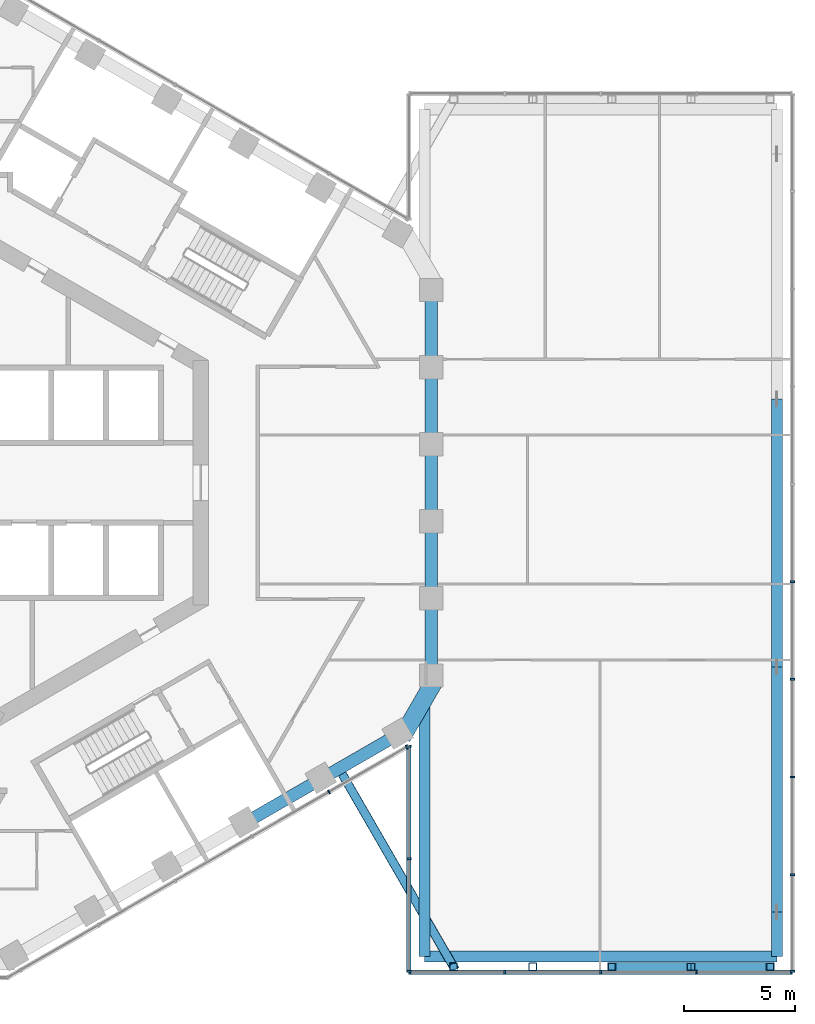
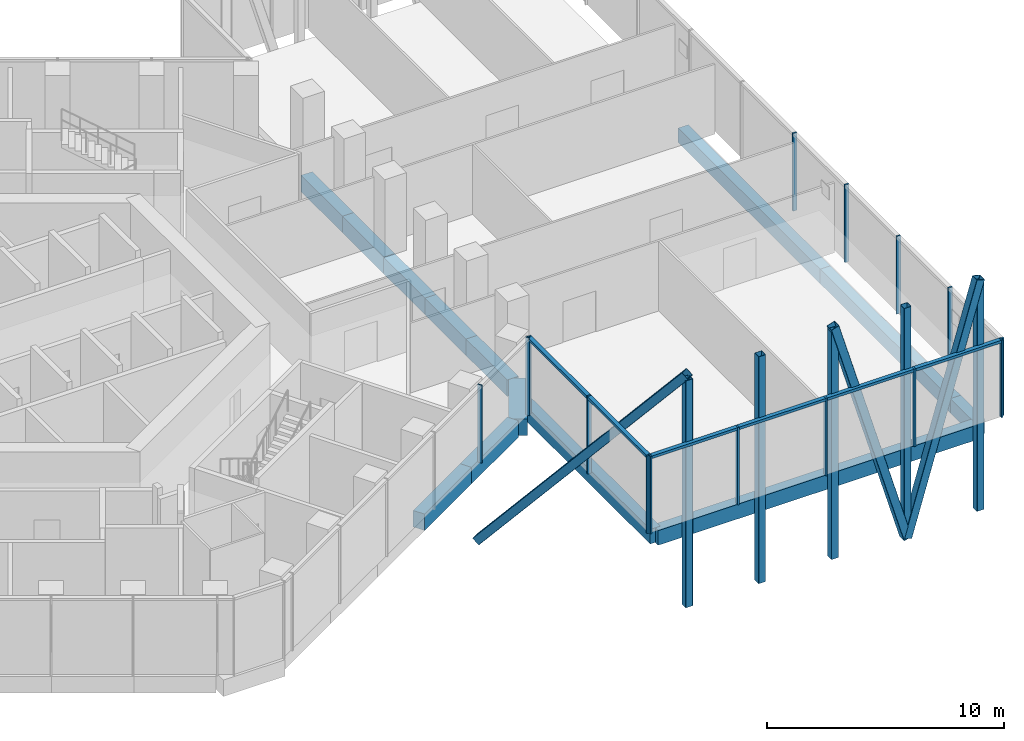
# One storey, part 5 of 24: 25 members, 13 beams, 4 elements without a shape of their own.
"""IFC4 building model written with IfcOpenShell, lengths in metres."""

import ifcopenshell
import ifcopenshell.guid

model = None  # the IFC model being written
_history = None  # IfcOwnerHistory: only IFC2X3 demands one
_inside = {}  # id of a spatial element -> (the spatial element, [elements in it])
_under = {}  # id of a project, library or spatial element -> (it, [spatial elements below it])
_declared = {}  # id of a project -> (the project, [libraries it declares])
_typed = {}  # id of a type object -> (the type object, [elements of that type])
_made_of = {}  # id of a material, layer set ... -> (it, [elements and type objects made of it])


def new_model(schema):
    """Start an empty IFC model of exactly this schema.

    Asked for "IFC4X3", IfcOpenShell would pick the latest addendum, in which some entities
    have other attributes; the version numbers below select the first issue.
    IFC2X3 requires an IfcOwnerHistory on every rooted entity: one is made here for all.
    """
    global model, _history
    if schema == "IFC4X3":
        model = ifcopenshell.file(schema_version=(4, 3, 0, 0))
    else:
        model = ifcopenshell.file(schema=schema)
    _inside.clear()
    _under.clear()
    _declared.clear()
    _typed.clear()
    _made_of.clear()
    _history = None
    if model.schema == "IFC2X3":
        org = make("IfcOrganization", Name="unknown")
        user = make(
            "IfcPersonAndOrganization",
            ThePerson=make("IfcPerson", FamilyName="unknown"),
            TheOrganization=org,
        )
        app = make(
            "IfcApplication",
            ApplicationDeveloper=org,
            Version="unknown",
            ApplicationFullName="unknown",
            ApplicationIdentifier="unknown",
        )
        _history = make(
            "IfcOwnerHistory",
            OwningUser=user,
            OwningApplication=app,
            ChangeAction="ADDED",
            CreationDate=0,
        )
    return model


def make(cls, **values):
    """One entity of the class cls with the attributes given. An attribute that is None is left unset."""
    return model.create_entity(
        cls, **{name: value for name, value in values.items() if value is not None}
    )


def rooted(cls, **values):
    """An entity with a GlobalId (a new one), such as an element, a storey or a relation."""
    return make(cls, GlobalId=ifcopenshell.guid.new(), OwnerHistory=_history, **values)


def si_unit(unit_type, name, prefix=None):
    """IfcSIUnit, for example si_unit("LENGTHUNIT", "METRE", prefix="MILLI")."""
    return make("IfcSIUnit", UnitType=unit_type, Prefix=prefix, Name=name)


def assignment(units):
    """IfcUnitAssignment: the units of a project."""
    return None if units is None else make("IfcUnitAssignment", Units=units)


def point(xyz):
    """IfcCartesianPoint."""
    return None if xyz is None else make("IfcCartesianPoint", Coordinates=xyz)


def direction(xyz):
    """IfcDirection."""
    return None if xyz is None else make("IfcDirection", DirectionRatios=xyz)


def frame(location, z_axis=None, x_axis=None):
    """IfcAxis2Placement3D, a coordinate frame: its origin and axes. An axis left out is left unset."""
    return make(
        "IfcAxis2Placement3D",
        Location=point(location),
        Axis=direction(z_axis),
        RefDirection=direction(x_axis),
    )


def frame_2d(location, x_axis=None):
    """IfcAxis2Placement2D, a coordinate frame in the plane: its origin and x axis."""
    return make(
        "IfcAxis2Placement2D", Location=point(location), RefDirection=direction(x_axis)
    )


def origin():
    """The frame at (0, 0, 0) with its axes left unset."""
    return frame((0.0, 0.0, 0.0))


def origin_2d():
    """The frame at (0, 0) in the plane with its x axis left unset."""
    return frame_2d((0.0, 0.0))


def place(relative_to, where):
    """IfcLocalPlacement: puts the frame where relative to a parent placement (None: the world)."""
    return make(
        "IfcLocalPlacement", PlacementRelTo=relative_to, RelativePlacement=where
    )


def context(
    kind, dimensions, precision=None, world=None, true_north=None, identifier=None
):
    """IfcGeometricRepresentationContext, for example the 3D "Model" context."""
    return make(
        "IfcGeometricRepresentationContext",
        ContextIdentifier=identifier,
        ContextType=kind,
        CoordinateSpaceDimension=dimensions,
        Precision=precision,
        WorldCoordinateSystem=world,
        TrueNorth=true_north,
    )


def subcontext(parent, identifier, kind, view, scale=None):
    """IfcGeometricRepresentationSubContext, for example "Body" below "Model"."""
    return make(
        "IfcGeometricRepresentationSubContext",
        ContextIdentifier=identifier,
        ContextType=kind,
        ParentContext=parent,
        TargetScale=scale,
        TargetView=view,
    )


def project(units=None, contexts=None):
    """IfcProject with its units and contexts."""
    return rooted(
        "IfcProject",
        Name="project",
        RepresentationContexts=contexts,
        UnitsInContext=assignment(units),
    )


def spatial(cls, under=None, at=None, **own):
    """A site, building, storey or space (cls), placed at a placement, below another one or the project."""
    s = rooted(cls, ObjectPlacement=at, **own)
    if under is not None:
        _under.setdefault(under.id(), (under, []))[1].append(s)
    return s


def profile(cls, at=None, kind="AREA", **sizes):
    """A parametric profile (cls). Its sizes go by their IFC names, for example OverallWidth=200.0."""
    return make(cls, ProfileType=kind, Position=at, **sizes)


def rectangle(**sizes):
    """IfcRectangleProfileDef."""
    return profile("IfcRectangleProfileDef", **sizes)


def hollow_rectangle(**sizes):
    """IfcRectangleHollowProfileDef."""
    return profile("IfcRectangleHollowProfileDef", **sizes)


def extrude(swept, where, along, depth):
    """IfcExtrudedAreaSolid: the profile swept, set in the frame where, extruded along a direction by depth."""
    return make(
        "IfcExtrudedAreaSolid",
        SweptArea=swept,
        Position=where,
        ExtrudedDirection=direction(along),
        Depth=depth,
    )


def shape(context_of_items, identifier, shape_type, items):
    """IfcShapeRepresentation: the items that make up one representation, for example the "Body"."""
    return make(
        "IfcShapeRepresentation",
        ContextOfItems=context_of_items,
        RepresentationIdentifier=identifier,
        RepresentationType=shape_type,
        Items=items,
    )


def material(Name=None, Category=None):
    """IfcMaterial."""
    return make("IfcMaterial", Name=Name, Category=Category)


def layer(
    of_material, thickness, ventilated=None, Name=None, Category=None, Priority=None
):
    """IfcMaterialLayer: one layer of a wall or slab, of a material (None: an air gap)."""
    return make(
        "IfcMaterialLayer",
        Material=of_material,
        LayerThickness=thickness,
        IsVentilated=ventilated,
        Name=Name,
        Category=Category,
        Priority=Priority,
    )


def layer_set(layers, Name=None):
    """IfcMaterialLayerSet."""
    return make("IfcMaterialLayerSet", MaterialLayers=layers, LayerSetName=Name)


def material_profile(
    of_material, cross_section, Name=None, Category=None, Priority=None
):
    """IfcMaterialProfile: a cross section and its material."""
    return make(
        "IfcMaterialProfile",
        Name=Name,
        Material=of_material,
        Profile=cross_section,
        Priority=Priority,
        Category=Category,
    )


def profile_set(profiles, Name=None, composite=None):
    """IfcMaterialProfileSet."""
    return make(
        "IfcMaterialProfileSet",
        Name=Name,
        MaterialProfiles=profiles,
        CompositeProfile=composite,
    )


def made_of(thing, what):
    """Note that an element or type object is made of a material, layer set ...; save() writes the relation."""
    if what is not None:
        _made_of.setdefault(what.id(), (what, []))[1].append(thing)
    return thing


def type_object(cls, material=None, **own):
    """A type object (cls), such as IfcWallType, which elements share."""
    return made_of(rooted(cls, **own), material)


def element(
    cls,
    number,
    at=None,
    inside=None,
    cuts=None,
    type_object=None,
    material=None,
    context=None,
    identifier="Body",
    shape_type=None,
    held_by="IfcProductDefinitionShape",
    body=None,
    shapes=None,
    **own,
):
    """One element of the class cls, such as IfcWall. Its Tag is "e" and its number.

    at: its placement. inside: the storey or other place that contains it. cuts: it is an
    opening in that element (IfcRelVoidsElement). A single representation is given by context,
    identifier, shape_type and body (its items); several are given by shapes. held_by: the class
    of the entity that holds the representations. save() writes the other relations.
    """
    e = rooted(cls, Tag="e%d" % number, ObjectPlacement=at, **own)
    if body is not None:
        shapes = [shape(context, identifier, shape_type, body)]
    if shapes is not None:
        e.Representation = make(held_by, Representations=shapes)
    if inside is not None:
        _inside.setdefault(inside.id(), (inside, []))[1].append(e)
    if cuts is not None:
        rooted(
            "IfcRelVoidsElement", RelatingBuildingElement=cuts, RelatedOpeningElement=e
        )
    if type_object is not None:
        _typed.setdefault(type_object.id(), (type_object, []))[1].append(e)
    return made_of(e, material)


def aggregate(whole, parts):
    """IfcRelAggregates: a whole, such as a stair, and the parts it consists of."""
    return rooted("IfcRelAggregates", RelatingObject=whole, RelatedObjects=parts)


def save(model, path):
    """Write the relations noted so far, then the file.

    IfcRelAggregates (storeys below a building ...), IfcRelContainedInSpatialStructure (elements
    in a storey), IfcRelDefinesByType, IfcRelAssociatesMaterial and IfcRelDeclares: one each for
    every whole, place, type object, material and project.
    """
    for whole, parts in _under.values():
        aggregate(whole, parts)
    for where, things in _inside.values():
        rooted(
            "IfcRelContainedInSpatialStructure",
            RelatedElements=things,
            RelatingStructure=where,
        )
    for kind, things in _typed.values():
        rooted("IfcRelDefinesByType", RelatedObjects=things, RelatingType=kind)
    for what, things in _made_of.values():
        rooted("IfcRelAssociatesMaterial", RelatedObjects=things, RelatingMaterial=what)
    for by, libraries in _declared.values():
        rooted("IfcRelDeclares", RelatingContext=by, RelatedDefinitions=libraries)
    model.write(path)


model = new_model("IFC4")

# Units and contexts
model_context = context("Model", 3, precision=1e-05, world=origin(), true_north=direction((0.0, 1.0)))
body_context = subcontext(model_context, "Body", "Model", "MODEL_VIEW")
ifc_project = project(units=[si_unit("LENGTHUNIT", "METRE"), si_unit("AREAUNIT", "SQUARE_METRE"), si_unit("VOLUMEUNIT", "CUBIC_METRE"), si_unit("PLANEANGLEUNIT", "RADIAN"), si_unit("MASSUNIT", "GRAM", prefix="KILO")], contexts=[model_context])

# Site, building, storey
site_placement = place(None, origin())
site = spatial("IfcSite", under=ifc_project, at=site_placement, CompositionType="ELEMENT")
building_placement = place(site_placement, origin())
building = spatial("IfcBuilding", under=site, at=building_placement, Name="Ayvan Gate Tower", CompositionType="ELEMENT")
storey_placement = place(building_placement, frame((0.0, 0.0, 124.5)))
storey = spatial("IfcBuildingStorey", under=building, at=storey_placement, Name="L33", CompositionType="ELEMENT", Elevation=124.5)

# Beams
ifc_material_1 = material(Name="Concrete C40/50", Category="concrete")
ifc_material_profile_1 = material_profile(ifc_material_1, rectangle(XDim=0.800048828125, YDim=0.85009765625, at=origin_2d()), Name="RC 800x850")
ifc_profile_set_1 = profile_set([ifc_material_profile_1], Name="Concrete C40/50")
beam_type_1 = type_object("IfcBeamType", Name="Corner spandrel beam RC 800x850 C40/50", PredefinedType="BEAM", material=ifc_profile_set_1)
beam_1_placement = place(storey_placement, frame((18.176025390625, -11.408203125, -0.824951171875), z_axis=(0.499990139034, 0.866031096941, 0.0), x_axis=(-0.866031096941, 0.499990139034, 0.0)))
element("IfcBeam", 1, at=beam_1_placement, inside=storey, type_object=beam_type_1, Name="SB-L33-36", PredefinedType="BEAM", context=body_context, shape_type="SweptSolid", body=[
    extrude(rectangle(XDim=0.800048828125, YDim=0.85009765625, at=origin_2d()), origin(), (0.0, 0.0, 1.0), 3.0),
])
ifc_material_profile_2 = material_profile(ifc_material_1, rectangle(XDim=0.5, YDim=0.75, at=origin_2d()), Name="RC 500x750")
ifc_profile_set_2 = profile_set([ifc_material_profile_2], Name="Concrete C40/50")
beam_type_2 = type_object("IfcBeamType", Name="Sky bar edge beam RC 500x750 C40/50", PredefinedType="BEAM", material=ifc_profile_set_2)
beam_2_placement = place(storey_placement, frame((34.985595703125, 3.75, -0.77490234375), z_axis=(0.0, -1.0, 0.0), x_axis=(1.0, 0.0, 0.0)))
element("IfcBeam", 2, at=beam_2_placement, inside=storey, type_object=beam_type_2, Name="EB-B2-L33-5", PredefinedType="BEAM", context=body_context, shape_type="SweptSolid", body=[
    extrude(rectangle(XDim=0.5, YDim=0.75, at=origin_2d()), origin(), (0.0, 0.0, 1.0), 12.0),
])
beam_3_placement = place(storey_placement, frame((34.985595703125, -8.25, -0.77490234375), z_axis=(0.0, -1.0, 0.0), x_axis=(1.0, 0.0, 0.0)))
element("IfcBeam", 3, at=beam_3_placement, inside=storey, type_object=beam_type_2, Name="EB-B2-L33-6", PredefinedType="BEAM", context=body_context, shape_type="SweptSolid", body=[
    extrude(rectangle(XDim=0.5, YDim=0.75, at=origin_2d()), origin(), (0.0, 0.0, 1.0), 11.0),
])
beam_4_placement = place(storey_placement, frame((34.985595703125, -19.25, -0.77490234375), z_axis=(0.0, -1.0, 0.0), x_axis=(1.0, 0.0, 0.0)))
element("IfcBeam", 4, at=beam_4_placement, inside=storey, type_object=beam_type_2, Name="EB-B2-L33-7", PredefinedType="BEAM", context=body_context, shape_type="SweptSolid", body=[
    extrude(rectangle(XDim=0.5, YDim=0.75, at=origin_2d()), origin(), (0.0, 0.0, 1.0), 2.0),
])
beam_5_placement = place(storey_placement, frame((34.985595703125, -21.25, -0.77490234375), z_axis=(-1.0, 0.0, 0.0), x_axis=(0.0, -1.0, 0.0)))
element("IfcBeam", 5, at=beam_5_placement, inside=storey, type_object=beam_type_2, Name="EB-B2-L33-8", PredefinedType="BEAM", context=body_context, shape_type="SweptSolid", body=[
    extrude(rectangle(XDim=0.5, YDim=0.75, at=origin_2d()), origin(), (0.0, 0.0, 1.0), 15.800048828125),
])
beam_6_placement = place(storey_placement, frame((19.185546875, -21.25, -0.77490234375), z_axis=(0.0, 1.0, 0.0), x_axis=(-1.0, 0.0, 0.0)))
element("IfcBeam", 6, at=beam_6_placement, inside=storey, type_object=beam_type_2, Name="EB-B2-L33-9", PredefinedType="BEAM", context=body_context, shape_type="SweptSolid", body=[
    extrude(rectangle(XDim=0.5, YDim=0.75, at=origin_2d()), origin(), (0.0, 0.0, 1.0), 11.36962890625),
])

# Members
ifc_material_2 = material(Name="Steel S460NH", Category="steel")
ifc_material_profile_3 = material_profile(ifc_material_2, hollow_rectangle(XDim=0.39990234375, YDim=0.39990234375, WallThickness=0.01611328125, InnerFilletRadius=0.01611328125, OuterFilletRadius=0.02392578125, at=origin_2d()), Name="RHS 400x400x16")
ifc_profile_set_3 = profile_set([ifc_material_profile_3], Name="Steel S460NH")
member_type_1 = type_object("IfcMemberType", Name="Sky bar truss brace B2 RHS 400x400x16", PredefinedType="BRACE", material=ifc_profile_set_3)
member_1_placement = place(storey_placement, frame((15.382080078125, -12.865478515625, -4.75), z_axis=(0.32239012167, -0.558399308042, 0.764365633861), x_axis=(0.86602665903, 0.499997825845, 0.0)))
element("IfcMember", 7, at=member_1_placement, inside=storey, type_object=member_type_1, Name="SBX2-B-D-1", PredefinedType="BRACE", context=body_context, shape_type="SweptSolid", body=[
    extrude(hollow_rectangle(XDim=0.39990234375, YDim=0.39990234375, WallThickness=0.01611328125, InnerFilletRadius=0.01611328125, OuterFilletRadius=0.02392578125, at=origin_2d()), origin(), (0.0, 0.0, 1.0), 15.830322265625),
])
for number, where, z_axis, x_axis, name in (
    (8, (27.585693359375, -21.705078125, 7.35009765625), (0.281505893878, 0.0, -0.959559498787), (0.0, 1.0, 0.0), "SBX2-B-D-4"),
    (9, (31.135498046875, -21.705078125, -4.75), (0.281523720266, 0.0, 0.959554268881), (0.0, 1.0, 0.0), "SBX2-B-D-5"),
):
    element("IfcMember", number, at=place(storey_placement, frame(where, z_axis=z_axis, x_axis=x_axis)), inside=storey, type_object=member_type_1, Name=name, PredefinedType="BRACE", context=body_context, shape_type="SweptSolid", body=[
        extrude(hollow_rectangle(XDim=0.39990234375, YDim=0.39990234375, WallThickness=0.01611328125, InnerFilletRadius=0.01611328125, OuterFilletRadius=0.02392578125, at=origin_2d()), origin(), (0.0, 0.0, 1.0), 12.610107421875),
    ])
ifc_material_profile_4 = material_profile(ifc_material_2, hollow_rectangle(XDim=0.35009765625, YDim=0.35009765625, WallThickness=0.01611328125, InnerFilletRadius=0.01611328125, OuterFilletRadius=0.02392578125, at=origin_2d()), Name="RHS 350x350x16")
ifc_profile_set_4 = profile_set([ifc_material_profile_4], Name="Steel S460NH")
member_type_2 = type_object("IfcMemberType", Name="Sky bar truss post B2 RHS 350x350x16", PredefinedType="POST", material=ifc_profile_set_4)
for number, where, z_axis, x_axis, name in (
    (10, (20.485595703125, -21.705078125, -4.550048828125), (0.0, 0.0, 1.0), (1.0, 0.0, 0.0), "SBX2-B-P-1"),
    (11, (24.03564453125, -21.705078125, -4.550048828125), (0.0, 0.0, 1.0), (1.0, 0.0, 0.0), "SBX2-B-P-2"),
    (12, (27.585693359375, -21.705078125, -4.550048828125), (0.0, 0.0, 1.0), (1.0, 0.0, 0.0), "SBX2-B-P-3"),
    (13, (31.135498046875, -21.705078125, -4.550048828125), (0.0, 0.0, 1.0), (1.0, 0.0, 0.0), "SBX2-B-P-4"),
    (14, (34.685546875, -21.705078125, -4.550048828125), (0.0, 0.0, 1.0), (1.0, 0.0, 0.0), "SBX2-B-P-5"),
):
    element("IfcMember", number, at=place(storey_placement, frame(where, z_axis=z_axis, x_axis=x_axis)), inside=storey, type_object=member_type_2, Name=name, PredefinedType="POST", context=body_context, shape_type="SweptSolid", body=[
        extrude(hollow_rectangle(XDim=0.35009765625, YDim=0.35009765625, WallThickness=0.01611328125, InnerFilletRadius=0.01611328125, OuterFilletRadius=0.02392578125, at=origin_2d()), origin(), (0.0, 0.0, 1.0), 11.699951171875),
    ])

# Beams
ifc_material_profile_5 = material_profile(ifc_material_1, rectangle(XDim=0.550048828125, YDim=0.85009765625, at=origin_2d()), Name="RC 550x850")
ifc_profile_set_5 = profile_set([ifc_material_profile_5], Name="Concrete C40/50")
beam_type_3 = type_object("IfcBeamType", Name="Spandrel beam RC 550x850 C40/50", PredefinedType="BEAM", material=ifc_profile_set_5)
beam_7_placement = place(storey_placement, frame((19.485595703125, -8.7001953125, -0.824951171875), z_axis=(0.0, 1.0, 0.0), x_axis=(-1.0, 0.0, 0.0)))
element("IfcBeam", 15, at=beam_7_placement, inside=storey, type_object=beam_type_3, Name="SB-L33-1", PredefinedType="BEAM", context=body_context, shape_type="SweptSolid", body=[
    extrude(rectangle(XDim=0.550048828125, YDim=0.85009765625, at=origin_2d()), origin(), (0.0, 0.0, 1.0), 3.480224609375),
])
for number, where, z_axis, x_axis, name in (
    (16, (19.485595703125, -5.219970703125, -0.824951171875), (0.0, 1.0, 0.0), (-1.0, 0.0, 0.0), "SB-L33-2"),
    (17, (19.485595703125, -1.739990234375, -0.824951171875), (0.0, 1.0, 0.0), (-1.0, 0.0, 0.0), "SB-L33-3"),
    (18, (19.485595703125, 1.739990234375, -0.824951171875), (0.0, 1.0, 0.0), (-1.0, 0.0, 0.0), "SB-L33-4"),
):
    element("IfcBeam", number, at=place(storey_placement, frame(where, z_axis=z_axis, x_axis=x_axis)), inside=storey, type_object=beam_type_3, Name=name, PredefinedType="BEAM", context=body_context, shape_type="SweptSolid", body=[
        extrude(rectangle(XDim=0.550048828125, YDim=0.85009765625, at=origin_2d()), origin(), (0.0, 0.0, 1.0), 3.47998046875),
    ])
beam_8_placement = place(storey_placement, frame((19.485595703125, 5.219970703125, -0.824951171875), z_axis=(0.0, 1.0, 0.0), x_axis=(-1.0, 0.0, 0.0)))
element("IfcBeam", 19, at=beam_8_placement, inside=storey, type_object=beam_type_3, Name="SB-L33-5", PredefinedType="BEAM", context=body_context, shape_type="SweptSolid", body=[
    extrude(rectangle(XDim=0.550048828125, YDim=0.85009765625, at=origin_2d()), origin(), (0.0, 0.0, 1.0), 3.480224609375),
])
for number, where, z_axis, x_axis, name in (
    (20, (11.108154296875, -15.26904296875, -0.824951171875), (0.866024832473, 0.50000098954, 0.0), (-0.50000098954, 0.866024832473, 0.0), "SB-L33-34"),
    (21, (14.546875, -13.28369140625, -0.824951171875), (0.866024832473, 0.50000098954, 0.0), (-0.50000098954, 0.866024832473, 0.0), "SB-L33-35"),
):
    element("IfcBeam", number, at=place(storey_placement, frame(where, z_axis=z_axis, x_axis=x_axis)), inside=storey, type_object=beam_type_3, Name=name, PredefinedType="BEAM", context=body_context, shape_type="SweptSolid", body=[
        extrude(rectangle(XDim=0.550048828125, YDim=0.85009765625, at=origin_2d()), origin(), (0.0, 0.0, 1.0), 3.970703125),
    ])

# Curtain wall, members
ifc_material_3 = material(Name="Bronze anodised aluminium", Category="aluminium")
ifc_layer_1 = layer(ifc_material_3, 0.199951171875)
ifc_layer_set_1 = layer_set([ifc_layer_1], Name="Bronze anodised aluminium")
curtain_wall_type_1 = type_object("IfcCurtainWallType", Name="Stick curtain wall CW-1", PredefinedType="NOTDEFINED", material=ifc_layer_set_1)
curtain_wall_1_placement = place(storey_placement, origin())
curtain_wall_1 = element("IfcCurtainWall", 22, at=curtain_wall_1_placement, inside=storey, type_object=curtain_wall_type_1, Name="Stick curtain wall CW-1 L33", PredefinedType="NOTDEFINED")
ifc_material_profile_6 = material_profile(ifc_material_3, rectangle(XDim=0.199951171875, YDim=0.06005859375, at=origin_2d()), Name="Stick curtain wall CW-1 mullion 200 x 60")
ifc_profile_set_6 = profile_set([ifc_material_profile_6], Name="Bronze anodised aluminium")
member_type_3 = type_object("IfcMemberType", Name="Stick curtain wall CW-1 mullion 200 x 60", PredefinedType="MULLION", material=ifc_profile_set_6)
member_2_placement = place(storey_placement, frame((14.90478515625, -13.86865234375, 0.0), z_axis=(0.0, 0.0, 1.0), x_axis=(0.5, -0.866025403784, 0.0)))
member_2 = element("IfcMember", 23, at=member_2_placement, type_object=member_type_3, Name="CW-1 mullion 5", PredefinedType="MULLION", context=body_context, shape_type="SweptSolid", body=[
    extrude(rectangle(XDim=0.199951171875, YDim=0.06005859375, at=origin_2d()), origin(), (0.0, 0.0, 1.0), 4.0),
])
member_3_placement = place(storey_placement, frame((18.389404296875, -11.856689453125, 0.0), z_axis=(0.0, 0.0, 1.0), x_axis=(0.5, -0.866025403784, 0.0)))
member_3 = element("IfcMember", 24, at=member_3_placement, type_object=member_type_3, Name="CW-1 mullion 6", PredefinedType="MULLION", context=body_context, shape_type="SweptSolid", body=[
    extrude(rectangle(XDim=0.199951171875, YDim=0.06005859375, at=origin_2d()), origin(), (0.0, 0.0, 1.0), 4.0),
])
aggregate(curtain_wall_1, [member_2, member_3])

ifc_layer_2 = layer(ifc_material_3, 0.199951171875)
ifc_layer_set_2 = layer_set([ifc_layer_2], Name="Bronze anodised aluminium")
curtain_wall_type_2 = type_object("IfcCurtainWallType", Name="Stick curtain wall CW-4", PredefinedType="NOTDEFINED", material=ifc_layer_set_2)
curtain_wall_2_placement = place(storey_placement, origin())
curtain_wall_2 = element("IfcCurtainWall", 25, at=curtain_wall_2_placement, inside=storey, type_object=curtain_wall_type_2, Name="Stick curtain wall CW-4 L33", PredefinedType="NOTDEFINED")
ifc_material_profile_7 = material_profile(ifc_material_3, rectangle(XDim=0.199951171875, YDim=0.080078125, at=origin_2d()), Name="Stick curtain wall CW-4 mullion 200 x 80")
ifc_profile_set_7 = profile_set([ifc_material_profile_7], Name="Bronze anodised aluminium")
member_type_4 = type_object("IfcMemberType", Name="Stick curtain wall CW-4 mullion 200 x 80", PredefinedType="MULLION", material=ifc_profile_set_7)
member_4_placement = place(storey_placement, frame((18.525634765625, -21.949951171875, 0.0), z_axis=(0.0, 0.0, 1.0), x_axis=(0.0, -1.0, 0.0)))
member_4 = element("IfcMember", 26, at=member_4_placement, type_object=member_type_4, Name="CW-4 mullion 1", PredefinedType="MULLION", context=body_context, shape_type="SweptSolid", body=[
    extrude(rectangle(XDim=0.199951171875, YDim=0.080078125, at=origin_2d()), origin(), (0.0, 0.0, 1.0), 4.0),
])
member_5_placement = place(storey_placement, frame((22.78564453125, -21.949951171875, 0.0), z_axis=(0.0, 0.0, 1.0), x_axis=(0.0, -1.0, 0.0)))
member_5 = element("IfcMember", 27, at=member_5_placement, type_object=member_type_4, Name="CW-4 mullion 2", PredefinedType="MULLION", context=body_context, shape_type="SweptSolid", body=[
    extrude(rectangle(XDim=0.199951171875, YDim=0.080078125, at=origin_2d()), origin(), (0.0, 0.0, 1.0), 4.0),
])
member_6_placement = place(storey_placement, frame((27.085693359375, -21.949951171875, 0.0), z_axis=(0.0, 0.0, 1.0), x_axis=(0.0, -1.0, 0.0)))
member_6 = element("IfcMember", 28, at=member_6_placement, type_object=member_type_4, Name="CW-4 mullion 3", PredefinedType="MULLION", context=body_context, shape_type="SweptSolid", body=[
    extrude(rectangle(XDim=0.199951171875, YDim=0.080078125, at=origin_2d()), origin(), (0.0, 0.0, 1.0), 4.0),
])
member_7_placement = place(storey_placement, frame((31.385498046875, -21.949951171875, 0.0), z_axis=(0.0, 0.0, 1.0), x_axis=(0.0, -1.0, 0.0)))
member_7 = element("IfcMember", 29, at=member_7_placement, type_object=member_type_4, Name="CW-4 mullion 4", PredefinedType="MULLION", context=body_context, shape_type="SweptSolid", body=[
    extrude(rectangle(XDim=0.199951171875, YDim=0.080078125, at=origin_2d()), origin(), (0.0, 0.0, 1.0), 4.0),
])
member_8_placement = place(storey_placement, frame((35.6455078125, -21.949951171875, 0.0), z_axis=(0.0, 0.0, 1.0), x_axis=(0.0, -1.0, 0.0)))
member_8 = element("IfcMember", 30, at=member_8_placement, type_object=member_type_4, Name="CW-4 mullion 5", PredefinedType="MULLION", context=body_context, shape_type="SweptSolid", body=[
    extrude(rectangle(XDim=0.199951171875, YDim=0.080078125, at=origin_2d()), origin(), (0.0, 0.0, 1.0), 4.0),
])

curtain_wall_3_placement = place(storey_placement, origin())
curtain_wall_3 = element("IfcCurtainWall", 31, at=curtain_wall_3_placement, inside=storey, type_object=curtain_wall_type_2, Name="Stick curtain wall CW-4 L33", PredefinedType="NOTDEFINED")
member_9_placement = place(storey_placement, frame((35.685546875, -21.909912109375, 0.0), z_axis=(0.0, 0.0, 1.0), x_axis=(1.0, 0.0, 0.0)))
member_9 = element("IfcMember", 32, at=member_9_placement, type_object=member_type_4, Name="CW-4 mullion 1", PredefinedType="MULLION", context=body_context, shape_type="SweptSolid", body=[
    extrude(rectangle(XDim=0.199951171875, YDim=0.080078125, at=origin_2d()), origin(), (0.0, 0.0, 1.0), 4.0),
])
member_10_placement = place(storey_placement, frame((35.685546875, -17.572265625, 0.0), z_axis=(0.0, 0.0, 1.0), x_axis=(1.0, 0.0, 0.0)))
member_10 = element("IfcMember", 33, at=member_10_placement, type_object=member_type_4, Name="CW-4 mullion 2", PredefinedType="MULLION", context=body_context, shape_type="SweptSolid", body=[
    extrude(rectangle(XDim=0.199951171875, YDim=0.080078125, at=origin_2d()), origin(), (0.0, 0.0, 1.0), 4.0),
])
member_11_placement = place(storey_placement, frame((35.685546875, -13.1943359375, 0.0), z_axis=(0.0, 0.0, 1.0), x_axis=(1.0, 0.0, 0.0)))
member_11 = element("IfcMember", 34, at=member_11_placement, type_object=member_type_4, Name="CW-4 mullion 3", PredefinedType="MULLION", context=body_context, shape_type="SweptSolid", body=[
    extrude(rectangle(XDim=0.199951171875, YDim=0.080078125, at=origin_2d()), origin(), (0.0, 0.0, 1.0), 4.0),
])
member_12_placement = place(storey_placement, frame((35.685546875, -8.816650390625, 0.0), z_axis=(0.0, 0.0, 1.0), x_axis=(1.0, 0.0, 0.0)))
member_12 = element("IfcMember", 35, at=member_12_placement, type_object=member_type_4, Name="CW-4 mullion 4", PredefinedType="MULLION", context=body_context, shape_type="SweptSolid", body=[
    extrude(rectangle(XDim=0.199951171875, YDim=0.080078125, at=origin_2d()), origin(), (0.0, 0.0, 1.0), 4.0),
])
member_13_placement = place(storey_placement, frame((35.685546875, -4.43896484375, 0.0), z_axis=(0.0, 0.0, 1.0), x_axis=(1.0, 0.0, 0.0)))
member_13 = element("IfcMember", 36, at=member_13_placement, type_object=member_type_4, Name="CW-4 mullion 5", PredefinedType="MULLION", context=body_context, shape_type="SweptSolid", body=[
    extrude(rectangle(XDim=0.199951171875, YDim=0.080078125, at=origin_2d()), origin(), (0.0, 0.0, 1.0), 4.0),
])
aggregate(curtain_wall_3, [member_9, member_10, member_11, member_12, member_13])

curtain_wall_4_placement = place(storey_placement, origin())
curtain_wall_4 = element("IfcCurtainWall", 37, at=curtain_wall_4_placement, inside=storey, type_object=curtain_wall_type_2, Name="Stick curtain wall CW-4 L33", PredefinedType="NOTDEFINED")
member_14_placement = place(storey_placement, frame((18.485595703125, -11.8115234375, 0.0), z_axis=(0.0, 0.0, 1.0), x_axis=(-1.0, 0.0, 0.0)))
member_14 = element("IfcMember", 38, at=member_14_placement, type_object=member_type_4, Name="CW-4 mullion 1", PredefinedType="MULLION", context=body_context, shape_type="SweptSolid", body=[
    extrude(rectangle(XDim=0.199951171875, YDim=0.080078125, at=origin_2d()), origin(), (0.0, 0.0, 1.0), 4.0),
])
member_15_placement = place(storey_placement, frame((18.485595703125, -16.86083984375, 0.0), z_axis=(0.0, 0.0, 1.0), x_axis=(-1.0, 0.0, 0.0)))
member_15 = element("IfcMember", 39, at=member_15_placement, type_object=member_type_4, Name="CW-4 mullion 2", PredefinedType="MULLION", context=body_context, shape_type="SweptSolid", body=[
    extrude(rectangle(XDim=0.199951171875, YDim=0.080078125, at=origin_2d()), origin(), (0.0, 0.0, 1.0), 4.0),
])
member_16_placement = place(storey_placement, frame((18.485595703125, -21.909912109375, 0.0), z_axis=(0.0, 0.0, 1.0), x_axis=(-1.0, 0.0, 0.0)))
member_16 = element("IfcMember", 40, at=member_16_placement, type_object=member_type_4, Name="CW-4 mullion 3", PredefinedType="MULLION", context=body_context, shape_type="SweptSolid", body=[
    extrude(rectangle(XDim=0.199951171875, YDim=0.080078125, at=origin_2d()), origin(), (0.0, 0.0, 1.0), 4.0),
])

# Member
ifc_material_profile_8 = material_profile(ifc_material_3, rectangle(XDim=0.199951171875, YDim=0.139892578125, at=origin_2d()), Name="Stick curtain wall CW-4 transom 200 x 140")
ifc_profile_set_8 = profile_set([ifc_material_profile_8], Name="Bronze anodised aluminium")
member_type_5 = type_object("IfcMemberType", Name="Stick curtain wall CW-4 transom 200 x 140", PredefinedType="USERDEFINED", material=ifc_profile_set_8)
member_17_placement = place(storey_placement, frame((18.525634765625, -21.949951171875, 3.929931640625), z_axis=(1.0, 0.0, 0.0), x_axis=(0.0, 1.0, 0.0)))
member_17 = element("IfcMember", 41, at=member_17_placement, type_object=member_type_5, Name="CW-4 transom 1", ObjectType="TRANSOM", PredefinedType="USERDEFINED", context=body_context, shape_type="SweptSolid", body=[
    extrude(rectangle(XDim=0.199951171875, YDim=0.139892578125, at=origin_2d()), origin(), (0.0, 0.0, 1.0), 17.119873046875),
])

aggregate(curtain_wall_2, [member_4, member_5, member_6, member_7, member_8, member_17])

member_18_placement = place(storey_placement, frame((18.485595703125, -11.8115234375, 3.929931640625), z_axis=(0.0, -1.0, 0.0), x_axis=(1.0, 0.0, 0.0)))
member_18 = element("IfcMember", 42, at=member_18_placement, type_object=member_type_5, Name="CW-4 transom 1", ObjectType="TRANSOM", PredefinedType="USERDEFINED", context=body_context, shape_type="SweptSolid", body=[
    extrude(rectangle(XDim=0.199951171875, YDim=0.139892578125, at=origin_2d()), origin(), (0.0, 0.0, 1.0), 10.098388671875),
])

aggregate(curtain_wall_4, [member_14, member_15, member_16, member_18])

save(model, "model.ifc")
